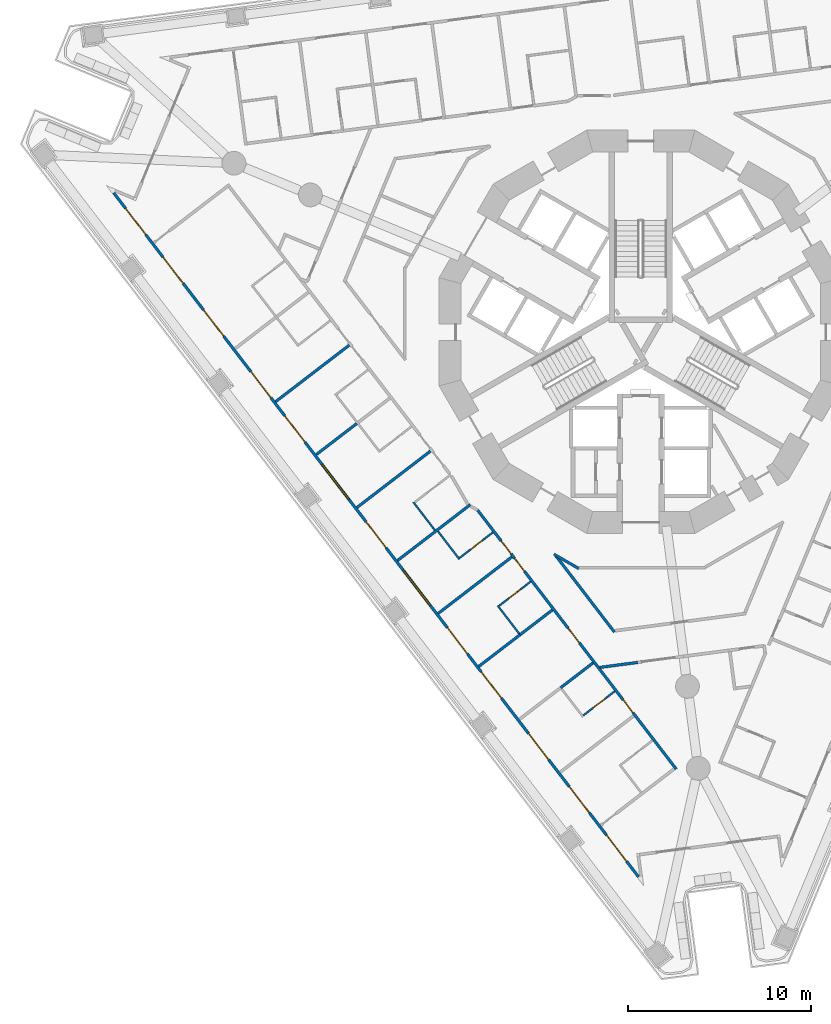
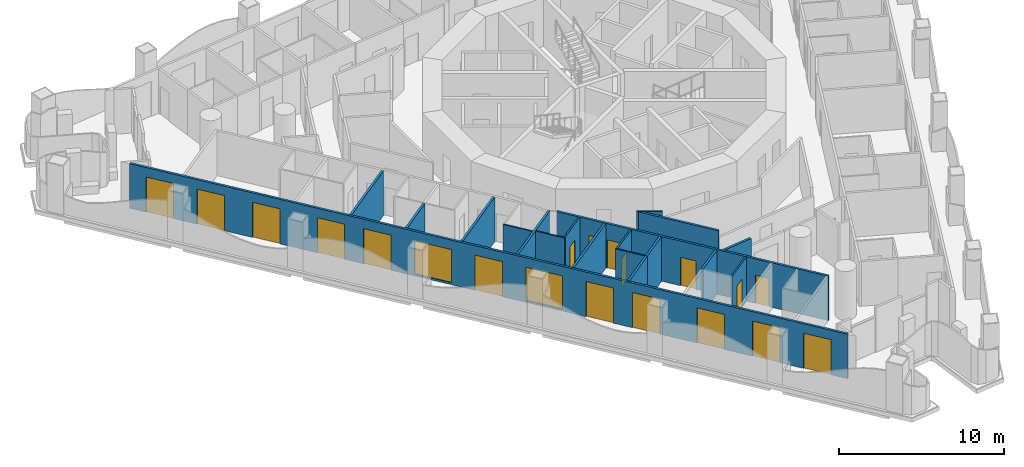
# One storey, part 2 of 19: 19 walls, 18 doors, 2 windows, 20 openings.
"""IFC4 building model written with IfcOpenShell, lengths in metres."""

from ifc_helpers import new_model, si_unit, direction, frame, frame_2d, origin, place, context, subcontext, project, spatial, polyline, rectangle, outline, extrude, material, layer, layer_set, type_object, element, fill, save


model = new_model("IFC4")

# Units and contexts
model_context = context("Model", 3, precision=1e-05, world=origin(), true_north=direction((0.0, 1.0)))
body_context = subcontext(model_context, "Body", "Model", "MODEL_VIEW")
ifc_project = project(units=[si_unit("LENGTHUNIT", "METRE"), si_unit("AREAUNIT", "SQUARE_METRE"), si_unit("VOLUMEUNIT", "CUBIC_METRE"), si_unit("PLANEANGLEUNIT", "RADIAN"), si_unit("MASSUNIT", "GRAM", prefix="KILO")], contexts=[model_context])

# Site, building, storey
site_placement = place(None, origin())
site = spatial("IfcSite", under=ifc_project, at=site_placement, CompositionType="ELEMENT")
building_placement = place(site_placement, origin())
building = spatial("IfcBuilding", under=site, at=building_placement, Name="Trine Commons Tower", CompositionType="ELEMENT")
storey_placement = place(building_placement, frame((0.0, 0.0, 57.60009765625)))
storey = spatial("IfcBuildingStorey", under=building, at=storey_placement, Name="L13", CompositionType="ELEMENT", Elevation=57.60009765625)

# Wall, openings, windows, doors
ifc_material_1 = material(Name="Aluminium-framed insulated wall panel", Category="aluminium")
ifc_layer_1 = layer(ifc_material_1, 0.14990234375)
ifc_layer_set_1 = layer_set([ifc_layer_1], Name="Aluminium-framed insulated wall panel")
wall_type_1 = type_object("IfcWallType", Name="Glazed frame wall 150, EI 60", PredefinedType="SOLIDWALL", material=ifc_layer_set_1)
wall_1_placement = place(storey_placement, frame((79.968994140625, 32.624267578125, 0.0), z_axis=(0.0, 0.0, 1.0), x_axis=(-0.608761526367, 0.793353265585, 0.0)))
wall_1 = element("IfcWall", 1, at=wall_1_placement, inside=storey, type_object=wall_type_1, Name="Glazed frame wall F3", PredefinedType="SOLIDWALL", context=body_context, shape_type="SweptSolid", body=[
    extrude(outline(polyline([(0.1494140625, 0.074951171875), (0.1494140625, -0.074951171875), (47.216796875, -0.074951171875), (47.216796875, 0.074951171875), (0.1494140625, 0.074951171875)])), origin(), (0.0, 0.0, 1.0), 3.2998046875),
])
opening_1_placement = place(wall_1_placement, frame((1.2216796875, 0.0, 0.0)))
opening_1 = element("IfcOpeningElement", 2, at=opening_1_placement, cuts=wall_1, Name="Opening BD-2F3-01", PredefinedType="OPENING", context=body_context, shape_type="SweptSolid", body=[
    extrude(rectangle(XDim=1.800048828125, YDim=2.60009765625, at=frame_2d((0.89990234375, 1.300048828125))), frame((0.0, 0.0849609375, 0.0), z_axis=(0.0, -1.0, 0.0), x_axis=(1.0, 0.0, 0.0)), (0.0, 0.0, 1.0), 0.169921875),
])
opening_2_placement = place(wall_1_placement, frame((4.5654296875, 0.0, 0.0)))
opening_2 = element("IfcOpeningElement", 3, at=opening_2_placement, cuts=wall_1, Name="Opening BD-2F3-02", PredefinedType="OPENING", context=body_context, shape_type="SweptSolid", body=[
    extrude(rectangle(XDim=1.800048828125, YDim=2.60009765625, at=frame_2d((0.89990234375, 1.300048828125))), frame((0.0, 0.0849609375, 0.0), z_axis=(0.0, -1.0, 0.0), x_axis=(1.0, 0.0, 0.0)), (0.0, 0.0, 1.0), 0.169921875),
])
opening_3_placement = place(wall_1_placement, frame((8.208984375, 0.0, 0.0)))
opening_3 = element("IfcOpeningElement", 4, at=opening_3_placement, cuts=wall_1, Name="Opening BD-2F3-03", PredefinedType="OPENING", context=body_context, shape_type="SweptSolid", body=[
    extrude(rectangle(XDim=1.800048828125, YDim=2.60009765625, at=frame_2d((0.89990234375, 1.300048828125))), frame((0.0, 0.0849609375, 0.0), z_axis=(0.0, -1.0, 0.0), x_axis=(1.0, 0.0, 0.0)), (0.0, 0.0, 1.0), 0.169921875),
])
opening_4_placement = place(wall_1_placement, frame((12.45263671875, 0.0, 0.0)))
opening_4 = element("IfcOpeningElement", 5, at=opening_4_placement, cuts=wall_1, Name="Opening BD-2F3-04", PredefinedType="OPENING", context=body_context, shape_type="SweptSolid", body=[
    extrude(rectangle(XDim=1.800048828125, YDim=2.60009765625, at=frame_2d((0.89990234375, 1.300048828125))), frame((0.0, 0.0849609375, 0.0), z_axis=(0.0, -1.0, 0.0), x_axis=(1.0, 0.0, 0.0)), (0.0, 0.0, 1.0), 0.169921875),
])
opening_5_placement = place(wall_1_placement, frame((15.49609375, 0.0, 0.0)))
opening_5 = element("IfcOpeningElement", 6, at=opening_5_placement, cuts=wall_1, Name="Opening BD-2F3-05", PredefinedType="OPENING", context=body_context, shape_type="SweptSolid", body=[
    extrude(rectangle(XDim=1.800048828125, YDim=2.60009765625, at=frame_2d((0.89990234375, 1.300048828125))), frame((0.0, 0.0849609375, 0.0), z_axis=(0.0, -1.0, 0.0), x_axis=(1.0, 0.0, 0.0)), (0.0, 0.0, 1.0), 0.169921875),
])
opening_6_placement = place(wall_1_placement, frame((18.83984375, 0.0, 0.14990234375)))
opening_6 = element("IfcOpeningElement", 7, at=opening_6_placement, cuts=wall_1, Name="Opening W-2F3-06", PredefinedType="OPENING", context=body_context, shape_type="SweptSolid", body=[
    extrude(rectangle(XDim=2.39990234375, YDim=2.449951171875, at=frame_2d((1.199951171875, 1.22509765625))), frame((0.0, 0.0849609375, 0.0), z_axis=(0.0, -1.0, 0.0), x_axis=(1.0, 0.0, 0.0)), (0.0, 0.0, 1.0), 0.169921875),
])
opening_7_placement = place(wall_1_placement, frame((22.783447265625, 0.0, 0.0)))
opening_7 = element("IfcOpeningElement", 8, at=opening_7_placement, cuts=wall_1, Name="Opening BD-2F3-07", PredefinedType="OPENING", context=body_context, shape_type="SweptSolid", body=[
    extrude(rectangle(XDim=1.800048828125, YDim=2.60009765625, at=frame_2d((0.89990234375, 1.300048828125))), frame((0.0, 0.0849609375, 0.0), z_axis=(0.0, -1.0, 0.0), x_axis=(1.0, 0.0, 0.0)), (0.0, 0.0, 1.0), 0.169921875),
])
opening_8_placement = place(wall_1_placement, frame((26.126953125, 0.0, 0.14990234375)))
opening_8 = element("IfcOpeningElement", 9, at=opening_8_placement, cuts=wall_1, Name="Opening W-2F3-08", PredefinedType="OPENING", context=body_context, shape_type="SweptSolid", body=[
    extrude(rectangle(XDim=2.39990234375, YDim=2.449951171875, at=frame_2d((1.199951171875, 1.22509765625))), frame((0.0, 0.0849609375, 0.0), z_axis=(0.0, -1.0, 0.0), x_axis=(1.0, 0.0, 0.0)), (0.0, 0.0, 1.0), 0.169921875),
])
opening_9_placement = place(wall_1_placement, frame((30.070556640625, 0.0, 0.0)))
opening_9 = element("IfcOpeningElement", 10, at=opening_9_placement, cuts=wall_1, Name="Opening BD-2F3-09", PredefinedType="OPENING", context=body_context, shape_type="SweptSolid", body=[
    extrude(rectangle(XDim=1.800048828125, YDim=2.60009765625, at=frame_2d((0.89990234375, 1.300048828125))), frame((0.0, 0.0849609375, 0.0), z_axis=(0.0, -1.0, 0.0), x_axis=(1.0, 0.0, 0.0)), (0.0, 0.0, 1.0), 0.169921875),
])
opening_10_placement = place(wall_1_placement, frame((33.1142578125, 0.0, 0.0)))
opening_10 = element("IfcOpeningElement", 11, at=opening_10_placement, cuts=wall_1, Name="Opening BD-2F3-10", PredefinedType="OPENING", context=body_context, shape_type="SweptSolid", body=[
    extrude(rectangle(XDim=1.800048828125, YDim=2.60009765625, at=frame_2d((0.89990234375, 1.300048828125))), frame((0.0, 0.0849609375, 0.0), z_axis=(0.0, -1.0, 0.0), x_axis=(1.0, 0.0, 0.0)), (0.0, 0.0, 1.0), 0.169921875),
])
opening_11_placement = place(wall_1_placement, frame((37.35791015625, 0.0, 0.0)))
opening_11 = element("IfcOpeningElement", 12, at=opening_11_placement, cuts=wall_1, Name="Opening BD-2F3-11", PredefinedType="OPENING", context=body_context, shape_type="SweptSolid", body=[
    extrude(rectangle(XDim=1.800048828125, YDim=2.60009765625, at=frame_2d((0.89990234375, 1.300048828125))), frame((0.0, 0.0849609375, 0.0), z_axis=(0.0, -1.0, 0.0), x_axis=(1.0, 0.0, 0.0)), (0.0, 0.0, 1.0), 0.169921875),
])
opening_12_placement = place(wall_1_placement, frame((41.00146484375, 0.0, 0.0)))
opening_12 = element("IfcOpeningElement", 13, at=opening_12_placement, cuts=wall_1, Name="Opening BD-2F3-12", PredefinedType="OPENING", context=body_context, shape_type="SweptSolid", body=[
    extrude(rectangle(XDim=1.800048828125, YDim=2.60009765625, at=frame_2d((0.89990234375, 1.300048828125))), frame((0.0, 0.0849609375, 0.0), z_axis=(0.0, -1.0, 0.0), x_axis=(1.0, 0.0, 0.0)), (0.0, 0.0, 1.0), 0.169921875),
])
opening_13_placement = place(wall_1_placement, frame((44.344970703125, 0.0, 0.0)))
opening_13 = element("IfcOpeningElement", 14, at=opening_13_placement, cuts=wall_1, Name="Opening BD-2F3-13", PredefinedType="OPENING", context=body_context, shape_type="SweptSolid", body=[
    extrude(rectangle(XDim=1.800048828125, YDim=2.60009765625, at=frame_2d((0.89990234375, 1.300048828125))), frame((0.0, 0.0849609375, 0.0), z_axis=(0.0, -1.0, 0.0), x_axis=(1.0, 0.0, 0.0)), (0.0, 0.0, 1.0), 0.169921875),
])
ifc_material_2 = material(Name="Anodised aluminium frame with double glazing", Category="aluminium")
window_type = type_object("IfcWindowType", Name="Fixed window 2400x2450", PartitioningType="SINGLE_PANEL", PredefinedType="WINDOW", material=ifc_material_2)
window_1_placement = place(opening_6_placement, origin())
window_1 = element("IfcWindow", 15, at=window_1_placement, inside=storey, type_object=window_type, Name="Window F3 6", OverallHeight=2.449951171875, OverallWidth=2.39990234375, PartitioningType="SINGLE_PANEL", PredefinedType="WINDOW", context=body_context, shape_type="SweptSolid", body=[
    extrude(rectangle(XDim=2.39990234375, YDim=2.449951171875, at=frame_2d((1.199951171875, 1.22509765625))), frame((0.0, 0.030029296875, 0.0), z_axis=(0.0, -1.0, 0.0), x_axis=(1.0, 0.0, 0.0)), (0.0, 0.0, 1.0), 0.06005859375),
])
fill(opening_6, window_1)
window_2_placement = place(opening_8_placement, origin())
window_2 = element("IfcWindow", 16, at=window_2_placement, inside=storey, type_object=window_type, Name="Window F3 8", OverallHeight=2.449951171875, OverallWidth=2.39990234375, PartitioningType="SINGLE_PANEL", PredefinedType="WINDOW", context=body_context, shape_type="SweptSolid", body=[
    extrude(rectangle(XDim=2.39990234375, YDim=2.449951171875, at=frame_2d((1.199951171875, 1.22509765625))), frame((0.0, 0.030029296875, 0.0), z_axis=(0.0, -1.0, 0.0), x_axis=(1.0, 0.0, 0.0)), (0.0, 0.0, 1.0), 0.06005859375),
])
fill(opening_8, window_2)
door_type_1 = type_object("IfcDoorType", Name="Sliding loggia door 1800x2600", OperationType="SLIDING_TO_LEFT", PredefinedType="DOOR", material=ifc_material_2)
door_1_placement = place(opening_1_placement, origin())
door_1 = element("IfcDoor", 17, at=door_1_placement, inside=storey, type_object=door_type_1, Name="Loggia door F3 1", OperationType="SLIDING_TO_LEFT", OverallHeight=2.60009765625, OverallWidth=1.800048828125, PredefinedType="DOOR", context=body_context, shape_type="SweptSolid", body=[
    extrude(rectangle(XDim=1.800048828125, YDim=2.60009765625, at=frame_2d((0.89990234375, 1.300048828125))), frame((0.0, 0.02490234375, 0.0), z_axis=(0.0, -1.0, 0.0), x_axis=(1.0, 0.0, 0.0)), (0.0, 0.0, 1.0), 0.050048828125),
])
fill(opening_1, door_1)
door_2_placement = place(opening_2_placement, origin())
door_2 = element("IfcDoor", 18, at=door_2_placement, inside=storey, type_object=door_type_1, Name="Loggia door F3 2", OperationType="SLIDING_TO_LEFT", OverallHeight=2.60009765625, OverallWidth=1.800048828125, PredefinedType="DOOR", context=body_context, shape_type="SweptSolid", body=[
    extrude(rectangle(XDim=1.800048828125, YDim=2.60009765625, at=frame_2d((0.89990234375, 1.300048828125))), frame((0.0, 0.02490234375, 0.0), z_axis=(0.0, -1.0, 0.0), x_axis=(1.0, 0.0, 0.0)), (0.0, 0.0, 1.0), 0.050048828125),
])
fill(opening_2, door_2)
door_3_placement = place(opening_3_placement, origin())
door_3 = element("IfcDoor", 19, at=door_3_placement, inside=storey, type_object=door_type_1, Name="Loggia door F3 3", OperationType="SLIDING_TO_LEFT", OverallHeight=2.60009765625, OverallWidth=1.800048828125, PredefinedType="DOOR", context=body_context, shape_type="SweptSolid", body=[
    extrude(rectangle(XDim=1.800048828125, YDim=2.60009765625, at=frame_2d((0.89990234375, 1.300048828125))), frame((0.0, 0.02490234375, 0.0), z_axis=(0.0, -1.0, 0.0), x_axis=(1.0, 0.0, 0.0)), (0.0, 0.0, 1.0), 0.050048828125),
])
fill(opening_3, door_3)
door_4_placement = place(opening_4_placement, origin())
door_4 = element("IfcDoor", 20, at=door_4_placement, inside=storey, type_object=door_type_1, Name="Loggia door F3 4", OperationType="SLIDING_TO_LEFT", OverallHeight=2.60009765625, OverallWidth=1.800048828125, PredefinedType="DOOR", context=body_context, shape_type="SweptSolid", body=[
    extrude(rectangle(XDim=1.800048828125, YDim=2.60009765625, at=frame_2d((0.89990234375, 1.300048828125))), frame((0.0, 0.02490234375, 0.0), z_axis=(0.0, -1.0, 0.0), x_axis=(1.0, 0.0, 0.0)), (0.0, 0.0, 1.0), 0.050048828125),
])
fill(opening_4, door_4)
door_5_placement = place(opening_5_placement, origin())
door_5 = element("IfcDoor", 21, at=door_5_placement, inside=storey, type_object=door_type_1, Name="Loggia door F3 5", OperationType="SLIDING_TO_LEFT", OverallHeight=2.60009765625, OverallWidth=1.800048828125, PredefinedType="DOOR", context=body_context, shape_type="SweptSolid", body=[
    extrude(rectangle(XDim=1.800048828125, YDim=2.60009765625, at=frame_2d((0.89990234375, 1.300048828125))), frame((0.0, 0.02490234375, 0.0), z_axis=(0.0, -1.0, 0.0), x_axis=(1.0, 0.0, 0.0)), (0.0, 0.0, 1.0), 0.050048828125),
])
fill(opening_5, door_5)
door_6_placement = place(opening_7_placement, origin())
door_6 = element("IfcDoor", 22, at=door_6_placement, inside=storey, type_object=door_type_1, Name="Loggia door F3 7", OperationType="SLIDING_TO_LEFT", OverallHeight=2.60009765625, OverallWidth=1.800048828125, PredefinedType="DOOR", context=body_context, shape_type="SweptSolid", body=[
    extrude(rectangle(XDim=1.800048828125, YDim=2.60009765625, at=frame_2d((0.89990234375, 1.300048828125))), frame((0.0, 0.02490234375, 0.0), z_axis=(0.0, -1.0, 0.0), x_axis=(1.0, 0.0, 0.0)), (0.0, 0.0, 1.0), 0.050048828125),
])
fill(opening_7, door_6)
door_7_placement = place(opening_9_placement, origin())
door_7 = element("IfcDoor", 23, at=door_7_placement, inside=storey, type_object=door_type_1, Name="Loggia door F3 9", OperationType="SLIDING_TO_LEFT", OverallHeight=2.60009765625, OverallWidth=1.800048828125, PredefinedType="DOOR", context=body_context, shape_type="SweptSolid", body=[
    extrude(rectangle(XDim=1.800048828125, YDim=2.60009765625, at=frame_2d((0.89990234375, 1.300048828125))), frame((0.0, 0.02490234375, 0.0), z_axis=(0.0, -1.0, 0.0), x_axis=(1.0, 0.0, 0.0)), (0.0, 0.0, 1.0), 0.050048828125),
])
fill(opening_9, door_7)
door_8_placement = place(opening_10_placement, origin())
door_8 = element("IfcDoor", 24, at=door_8_placement, inside=storey, type_object=door_type_1, Name="Loggia door F3 10", OperationType="SLIDING_TO_LEFT", OverallHeight=2.60009765625, OverallWidth=1.800048828125, PredefinedType="DOOR", context=body_context, shape_type="SweptSolid", body=[
    extrude(rectangle(XDim=1.800048828125, YDim=2.60009765625, at=frame_2d((0.89990234375, 1.300048828125))), frame((0.0, 0.02490234375, 0.0), z_axis=(0.0, -1.0, 0.0), x_axis=(1.0, 0.0, 0.0)), (0.0, 0.0, 1.0), 0.050048828125),
])
fill(opening_10, door_8)
door_9_placement = place(opening_11_placement, origin())
door_9 = element("IfcDoor", 25, at=door_9_placement, inside=storey, type_object=door_type_1, Name="Loggia door F3 11", OperationType="SLIDING_TO_LEFT", OverallHeight=2.60009765625, OverallWidth=1.800048828125, PredefinedType="DOOR", context=body_context, shape_type="SweptSolid", body=[
    extrude(rectangle(XDim=1.800048828125, YDim=2.60009765625, at=frame_2d((0.89990234375, 1.300048828125))), frame((0.0, 0.02490234375, 0.0), z_axis=(0.0, -1.0, 0.0), x_axis=(1.0, 0.0, 0.0)), (0.0, 0.0, 1.0), 0.050048828125),
])
fill(opening_11, door_9)
door_10_placement = place(opening_12_placement, origin())
door_10 = element("IfcDoor", 26, at=door_10_placement, inside=storey, type_object=door_type_1, Name="Loggia door F3 12", OperationType="SLIDING_TO_LEFT", OverallHeight=2.60009765625, OverallWidth=1.800048828125, PredefinedType="DOOR", context=body_context, shape_type="SweptSolid", body=[
    extrude(rectangle(XDim=1.800048828125, YDim=2.60009765625, at=frame_2d((0.89990234375, 1.300048828125))), frame((0.0, 0.02490234375, 0.0), z_axis=(0.0, -1.0, 0.0), x_axis=(1.0, 0.0, 0.0)), (0.0, 0.0, 1.0), 0.050048828125),
])
fill(opening_12, door_10)
door_11_placement = place(opening_13_placement, origin())
door_11 = element("IfcDoor", 27, at=door_11_placement, inside=storey, type_object=door_type_1, Name="Loggia door F3 13", OperationType="SLIDING_TO_LEFT", OverallHeight=2.60009765625, OverallWidth=1.800048828125, PredefinedType="DOOR", context=body_context, shape_type="SweptSolid", body=[
    extrude(rectangle(XDim=1.800048828125, YDim=2.60009765625, at=frame_2d((0.89990234375, 1.300048828125))), frame((0.0, 0.02490234375, 0.0), z_axis=(0.0, -1.0, 0.0), x_axis=(1.0, 0.0, 0.0)), (0.0, 0.0, 1.0), 0.050048828125),
])
fill(opening_13, door_11)

# Walls
ifc_material_3 = material(Name="Gypsum plasterboard on steel stud", Category="steel")
ifc_layer_2 = layer(ifc_material_3, 0.14990234375)
ifc_layer_set_2 = layer_set([ifc_layer_2], Name="Gypsum plasterboard on steel stud")
wall_type_2 = type_object("IfcWallType", Name="Unit and corridor wall 150 mm, EI 60", PredefinedType="PARTITIONING", material=ifc_layer_set_2)
wall_2_placement = place(storey_placement, frame((60.065673828125, 58.686279296875, 0.0), z_axis=(0.0, 0.0, 1.0), x_axis=(0.793444149255, 0.608643066184, 0.0)))
element("IfcWall", 28, at=wall_2_placement, inside=storey, type_object=wall_type_2, Name="Partition 010", PredefinedType="PARTITIONING", context=body_context, shape_type="SweptSolid", body=[
    extrude(rectangle(XDim=5.063720703125, YDim=0.14990234375, at=frame_2d((2.53173828125, 0.0))), origin(), (0.0, 0.0, 1.0), 3.2998046875),
])
wall_3_placement = place(storey_placement, frame((62.28369140625, 55.79541015625, 0.0), z_axis=(0.0, 0.0, 1.0), x_axis=(0.793280814045, 0.608855935397, 0.0)))
element("IfcWall", 29, at=wall_3_placement, inside=storey, type_object=wall_type_2, Name="Partition 021", PredefinedType="PARTITIONING", context=body_context, shape_type="SweptSolid", body=[
    extrude(rectangle(XDim=2.789306640625, YDim=0.14990234375, at=frame_2d((1.39453125, 0.0))), origin(), (0.0, 0.0, 1.0), 3.2998046875),
])
wall_4_placement = place(storey_placement, frame((64.501708984375, 52.904296875, 0.0), z_axis=(0.0, 0.0, 1.0), x_axis=(0.793351017656, 0.608764455913, 0.0)))
element("IfcWall", 30, at=wall_4_placement, inside=storey, type_object=wall_type_2, Name="Partition 031", PredefinedType="PARTITIONING", context=body_context, shape_type="SweptSolid", body=[
    extrude(rectangle(XDim=5.064453125, YDim=0.14990234375, at=frame_2d((2.5322265625, 0.0))), origin(), (0.0, 0.0, 1.0), 3.2998046875),
])
wall_5_placement = place(storey_placement, frame((66.7197265625, 50.014404296875, 0.0), z_axis=(0.0, 0.0, 1.0), x_axis=(0.793383103562, 0.608722638796, 0.0)))
element("IfcWall", 31, at=wall_5_placement, inside=storey, type_object=wall_type_2, Name="Partition 042", PredefinedType="PARTITIONING", context=body_context, shape_type="SweptSolid", body=[
    extrude(rectangle(XDim=5.017333984375, YDim=0.14990234375, at=frame_2d((2.5087890625, 0.0))), origin(), (0.0, 0.0, 1.0), 3.2998046875),
])
wall_6_placement = place(storey_placement, frame((68.937744140625, 47.123291015625, 0.0), z_axis=(0.0, 0.0, 1.0), x_axis=(0.793351017656, 0.608764455913, 0.0)))
element("IfcWall", 32, at=wall_6_placement, inside=storey, type_object=wall_type_2, Name="Partition 052", PredefinedType="PARTITIONING", context=body_context, shape_type="SweptSolid", body=[
    extrude(rectangle(XDim=5.064453125, YDim=0.14990234375, at=frame_2d((2.5322265625, 0.0))), origin(), (0.0, 0.0, 1.0), 3.2998046875),
])

# Wall, openings, doors
wall_7_placement = place(storey_placement, frame((71.087890625, 52.76611328125, 0.0), z_axis=(0.0, 0.0, 1.0), x_axis=(0.608663951432, -0.793428127953, 0.0)))
wall_7 = element("IfcWall", 33, at=wall_7_placement, inside=storey, type_object=wall_type_2, Name="Partition 058", PredefinedType="PARTITIONING", context=body_context, shape_type="SweptSolid", body=[
    extrude(rectangle(XDim=17.8173828125, YDim=0.14990234375, at=frame_2d((8.90869140625, 0.0))), origin(), (0.0, 0.0, 1.0), 3.2998046875),
])
opening_14_placement = place(wall_7_placement, frame((13.048095703125, 0.0, 0.0)))
opening_14 = element("IfcOpeningElement", 34, at=opening_14_placement, cuts=wall_7, Name="Opening D-2A27", PredefinedType="OPENING", context=body_context, shape_type="SweptSolid", body=[
    extrude(rectangle(XDim=0.89990234375, YDim=2.10009765625, at=frame_2d((0.449951171875, 1.050048828125))), frame((0.0, 0.0849609375, 0.0), z_axis=(0.0, -1.0, 0.0), x_axis=(1.0, 0.0, 0.0)), (0.0, 0.0, 1.0), 0.169921875),
])
opening_15_placement = place(wall_7_placement, frame((8.13330078125, 0.0, 0.0)))
opening_15 = element("IfcOpeningElement", 35, at=opening_15_placement, cuts=wall_7, Name="Opening D-2A28", PredefinedType="OPENING", context=body_context, shape_type="SweptSolid", body=[
    extrude(rectangle(XDim=1.0, YDim=2.10009765625, at=frame_2d((0.5, 1.050048828125))), frame((0.0, 0.0849609375, 0.0), z_axis=(0.0, -1.0, 0.0), x_axis=(1.0, 0.0, 0.0)), (0.0, 0.0, 1.0), 0.169921875),
])
opening_16_placement = place(wall_7_placement, frame((3.317626953125, 0.0, 0.0)))
opening_16 = element("IfcOpeningElement", 36, at=opening_16_placement, cuts=wall_7, Name="Opening D-2A29", PredefinedType="OPENING", context=body_context, shape_type="SweptSolid", body=[
    extrude(rectangle(XDim=0.89990234375, YDim=2.10009765625, at=frame_2d((0.449951171875, 1.050048828125))), frame((0.0, 0.0849609375, 0.0), z_axis=(0.0, -1.0, 0.0), x_axis=(1.0, 0.0, 0.0)), (0.0, 0.0, 1.0), 0.169921875),
])
opening_17_placement = place(wall_7_placement, frame((2.11767578125, 0.0, 0.0)))
opening_17 = element("IfcOpeningElement", 37, at=opening_17_placement, cuts=wall_7, Name="Opening D-2A30", PredefinedType="OPENING", context=body_context, shape_type="SweptSolid", body=[
    extrude(rectangle(XDim=0.89990234375, YDim=2.10009765625, at=frame_2d((0.449951171875, 1.050048828125))), frame((0.0, 0.0849609375, 0.0), z_axis=(0.0, -1.0, 0.0), x_axis=(1.0, 0.0, 0.0)), (0.0, 0.0, 1.0), 0.169921875),
])
ifc_material_4 = material(Name="Painted timber", Category="wood")
door_type_2 = type_object("IfcDoorType", Name="Amenity room door 1000 x 2100, NOT RATED", OperationType="NOTDEFINED", PredefinedType="DOOR", material=ifc_material_4)
door_12_placement = place(opening_15_placement, frame((1.0, 0.0, 0.0), z_axis=(0.0, 0.0, 1.0), x_axis=(-1.0, 0.0, 0.0)))
door_12 = element("IfcDoor", 38, at=door_12_placement, inside=storey, type_object=door_type_2, Name="Door D-2A28", OperationType="SINGLE_SWING_RIGHT", OverallHeight=2.10009765625, OverallWidth=1.0, PredefinedType="DOOR", context=body_context, shape_type="SweptSolid", body=[
    extrude(rectangle(XDim=1.0, YDim=2.10009765625, at=frame_2d((0.5, 1.050048828125))), frame((0.0, 0.02490234375, 0.0), z_axis=(0.0, -1.0, 0.0), x_axis=(1.0, 0.0, 0.0)), (0.0, 0.0, 1.0), 0.050048828125),
])
fill(opening_15, door_12)
ifc_material_5 = material(Name="Timber fire door set", Category="wood")
door_type_3 = type_object("IfcDoorType", Name="Bedroom door 900 x 2100, FD30S", OperationType="NOTDEFINED", PredefinedType="DOOR", material=ifc_material_5)
door_13_placement = place(opening_14_placement, frame((0.89990234375, 0.0, 0.0), z_axis=(0.0, 0.0, 1.0), x_axis=(-1.0, 0.0, 0.0)))
door_13 = element("IfcDoor", 39, at=door_13_placement, inside=storey, type_object=door_type_3, Name="Door D-2A27", OperationType="SINGLE_SWING_LEFT", OverallHeight=2.10009765625, OverallWidth=0.89990234375, PredefinedType="DOOR", context=body_context, shape_type="SweptSolid", body=[
    extrude(rectangle(XDim=0.89990234375, YDim=2.10009765625, at=frame_2d((0.449951171875, 1.050048828125))), frame((0.0, 0.02490234375, 0.0), z_axis=(0.0, -1.0, 0.0), x_axis=(1.0, 0.0, 0.0)), (0.0, 0.0, 1.0), 0.050048828125),
])
fill(opening_14, door_13)
door_14_placement = place(opening_16_placement, frame((0.89990234375, 0.0, 0.0), z_axis=(0.0, 0.0, 1.0), x_axis=(-1.0, 0.0, 0.0)))
door_14 = element("IfcDoor", 40, at=door_14_placement, inside=storey, type_object=door_type_3, Name="Door D-2A29", OperationType="SINGLE_SWING_RIGHT", OverallHeight=2.10009765625, OverallWidth=0.89990234375, PredefinedType="DOOR", context=body_context, shape_type="SweptSolid", body=[
    extrude(rectangle(XDim=0.89990234375, YDim=2.10009765625, at=frame_2d((0.449951171875, 1.050048828125))), frame((0.0, 0.02490234375, 0.0), z_axis=(0.0, -1.0, 0.0), x_axis=(1.0, 0.0, 0.0)), (0.0, 0.0, 1.0), 0.050048828125),
])
fill(opening_16, door_14)
door_15_placement = place(opening_17_placement, frame((0.89990234375, 0.0, 0.0), z_axis=(0.0, 0.0, 1.0), x_axis=(-1.0, 0.0, 0.0)))
door_15 = element("IfcDoor", 41, at=door_15_placement, inside=storey, type_object=door_type_3, Name="Door D-2A30", OperationType="SINGLE_SWING_RIGHT", OverallHeight=2.10009765625, OverallWidth=0.89990234375, PredefinedType="DOOR", context=body_context, shape_type="SweptSolid", body=[
    extrude(rectangle(XDim=0.89990234375, YDim=2.10009765625, at=frame_2d((0.449951171875, 1.050048828125))), frame((0.0, 0.02490234375, 0.0), z_axis=(0.0, -1.0, 0.0), x_axis=(1.0, 0.0, 0.0)), (0.0, 0.0, 1.0), 0.050048828125),
])
fill(opening_17, door_15)

# Walls
wall_8_placement = place(storey_placement, frame((71.15576171875, 44.232421875, 0.0), z_axis=(0.0, 0.0, 1.0), x_axis=(0.793345018711, 0.60877227375, 0.0)))
element("IfcWall", 42, at=wall_8_placement, inside=storey, type_object=wall_type_2, Name="Partition 059", PredefinedType="PARTITIONING", context=body_context, shape_type="SweptSolid", body=[
    extrude(rectangle(XDim=2.842529296875, YDim=0.14990234375, at=frame_2d((1.42138671875, 0.0))), origin(), (0.0, 0.0, 1.0), 3.2998046875),
])
wall_9_placement = place(storey_placement, frame((73.405029296875, 45.958984375, 0.0), z_axis=(0.0, 0.0, 1.0), x_axis=(0.793486460679, 0.608587903856, 0.0)))
element("IfcWall", 43, at=wall_9_placement, inside=storey, type_object=wall_type_2, Name="Partition 065", PredefinedType="PARTITIONING", context=body_context, shape_type="SweptSolid", body=[
    extrude(rectangle(XDim=2.228759765625, YDim=0.14990234375, at=frame_2d((1.1142578125, 0.0))), origin(), (0.0, 0.0, 1.0), 3.2998046875),
])
wall_10_placement = place(storey_placement, frame((75.260986328125, 50.35546875, 0.0), z_axis=(0.0, 0.0, 1.0), x_axis=(0.866029224906, -0.499993381564, 0.0)))
element("IfcWall", 44, at=wall_10_placement, inside=storey, type_object=wall_type_2, Name="Partition 068", PredefinedType="PARTITIONING", context=body_context, shape_type="SweptSolid", body=[
    extrude(rectangle(XDim=1.56005859375, YDim=0.14990234375, at=frame_2d((0.780029296875, 0.0))), origin(), (0.0, 0.0, 1.0), 3.2998046875),
])
wall_11_placement = place(storey_placement, frame((75.373779296875, 50.257568359375, 0.0), z_axis=(0.0, 0.0, 1.0), x_axis=(0.608769592338, -0.793347076282, 0.0)))
element("IfcWall", 45, at=wall_11_placement, inside=storey, type_object=wall_type_2, Name="Partition 069", PredefinedType="PARTITIONING", context=body_context, shape_type="SweptSolid", body=[
    extrude(rectangle(XDim=5.22998046875, YDim=0.14990234375, at=frame_2d((2.614990234375, 0.0))), origin(), (0.0, 0.0, 1.0), 3.2998046875),
])
wall_12_placement = place(storey_placement, frame((75.626953125, 43.070068359375, 0.0), z_axis=(0.0, 0.0, 1.0), x_axis=(0.793313024441, 0.608813966045, 0.0)))
element("IfcWall", 46, at=wall_12_placement, inside=storey, type_object=wall_type_2, Name="Partition 072", PredefinedType="PARTITIONING", context=body_context, shape_type="SweptSolid", body=[
    extrude(rectangle(XDim=2.224365234375, YDim=0.14990234375, at=frame_2d((1.1123046875, 0.0))), origin(), (0.0, 0.0, 1.0), 3.2998046875),
])
wall_13_placement = place(storey_placement, frame((77.75732421875, 44.177734375, 0.0), z_axis=(0.0, 0.0, 1.0), x_axis=(0.99142565409, 0.130672003172, 0.0)))
element("IfcWall", 47, at=wall_13_placement, inside=storey, type_object=wall_type_2, Name="Partition 078", PredefinedType="PARTITIONING", context=body_context, shape_type="SweptSolid", body=[
    extrude(rectangle(XDim=2.090576171875, YDim=0.14990234375, at=frame_2d((1.04541015625, 0.0))), origin(), (0.0, 0.0, 1.0), 3.2998046875),
])
ifc_layer_3 = layer(ifc_material_3, 0.10009765625)
ifc_layer_set_3 = layer_set([ifc_layer_3], Name="Gypsum plasterboard on steel stud")
wall_type_3 = type_object("IfcWallType", Name="Unit partition 100 mm, no rating", PredefinedType="PARTITIONING", material=ifc_layer_set_3)
wall_14_placement = place(storey_placement, frame((67.584716796875, 53.19873046875, 0.0), z_axis=(0.0, 0.0, 1.0), x_axis=(0.608404928037, -0.793626765892, 0.0)))
element("IfcWall", 48, at=wall_14_placement, inside=storey, type_object=wall_type_3, Name="Partition 046", PredefinedType="PARTITIONING", context=body_context, shape_type="SweptSolid", body=[
    extrude(rectangle(XDim=1.92578125, YDim=0.10009765625, at=frame_2d((0.962890625, 0.0))), origin(), (0.0, 0.0, 1.0), 3.2998046875),
])
wall_15_placement = place(storey_placement, frame((68.9248046875, 51.611572265625, 0.0), z_axis=(0.0, 0.0, 1.0), x_axis=(0.608649853766, -0.793438942522, 0.0)))
element("IfcWall", 49, at=wall_15_placement, inside=storey, type_object=wall_type_3, Name="Partition 051", PredefinedType="PARTITIONING", context=body_context, shape_type="SweptSolid", body=[
    extrude(rectangle(XDim=1.925048828125, YDim=0.10009765625, at=frame_2d((0.96240234375, 0.0))), origin(), (0.0, 0.0, 1.0), 3.2998046875),
])

# Wall, opening, door
wall_16_placement = place(storey_placement, frame((70.105712890625, 50.154296875, 0.0), z_axis=(0.0, 0.0, 1.0), x_axis=(0.793486347076, 0.608588051972, 0.0)))
wall_16 = element("IfcWall", 50, at=wall_16_placement, inside=storey, type_object=wall_type_3, Name="Partition 055", PredefinedType="PARTITIONING", context=body_context, shape_type="SweptSolid", body=[
    extrude(rectangle(XDim=2.292236328125, YDim=0.10009765625, at=frame_2d((1.14599609375, 0.0))), origin(), (0.0, 0.0, 1.0), 3.2998046875),
])
opening_18_placement = place(wall_16_placement, frame((0.74609375, 0.0, 0.0)))
opening_18 = element("IfcOpeningElement", 51, at=opening_18_placement, cuts=wall_16, Name="Opening D-2A60", PredefinedType="OPENING", context=body_context, shape_type="SweptSolid", body=[
    extrude(rectangle(XDim=0.800048828125, YDim=2.10009765625, at=frame_2d((0.39990234375, 1.050048828125))), frame((0.0, 0.06005859375, 0.0), z_axis=(0.0, -1.0, 0.0), x_axis=(1.0, 0.0, 0.0)), (0.0, 0.0, 1.0), 0.1201171875),
])
door_type_4 = type_object("IfcDoorType", Name="Internal door 800 x 2100, NOT RATED", OperationType="NOTDEFINED", PredefinedType="DOOR", material=ifc_material_4)
door_16_placement = place(opening_18_placement, frame((0.800048828125, 0.0, 0.0), z_axis=(0.0, 0.0, 1.0), x_axis=(-1.0, 0.0, 0.0)))
door_16 = element("IfcDoor", 52, at=door_16_placement, inside=storey, type_object=door_type_4, Name="Door D-2A60", OperationType="SINGLE_SWING_LEFT", OverallHeight=2.10009765625, OverallWidth=0.800048828125, PredefinedType="DOOR", context=body_context, shape_type="SweptSolid", body=[
    extrude(rectangle(XDim=0.800048828125, YDim=2.10009765625, at=frame_2d((0.39990234375, 1.050048828125))), frame((0.0, 0.02490234375, 0.0), z_axis=(0.0, -1.0, 0.0), x_axis=(1.0, 0.0, 0.0)), (0.0, 0.0, 1.0), 0.050048828125),
])
fill(opening_18, door_16)

# Wall
wall_17_placement = place(storey_placement, frame((72.190673828125, 47.547607421875, 0.0), z_axis=(0.0, 0.0, 1.0), x_axis=(0.608711106948, -0.793391951231, 0.0)))
element("IfcWall", 53, at=wall_17_placement, inside=storey, type_object=wall_type_3, Name="Partition 061", PredefinedType="PARTITIONING", context=body_context, shape_type="SweptSolid", body=[
    extrude(rectangle(XDim=1.9248046875, YDim=0.10009765625, at=frame_2d((0.96240234375, 0.0))), origin(), (0.0, 0.0, 1.0), 3.2998046875),
])

# Wall, opening, door
wall_18_placement = place(storey_placement, frame((72.2607421875, 47.538330078125, 0.0), z_axis=(0.0, 0.0, 1.0), x_axis=(0.79342025342, 0.608674216197, 0.0)))
wall_18 = element("IfcWall", 54, at=wall_18_placement, inside=storey, type_object=wall_type_3, Name="Partition 062", PredefinedType="PARTITIONING", context=body_context, shape_type="SweptSolid", body=[
    extrude(rectangle(XDim=2.17529296875, YDim=0.10009765625, at=frame_2d((1.087646484375, 0.0))), origin(), (0.0, 0.0, 1.0), 3.2998046875),
])
opening_19_placement = place(wall_18_placement, frame((0.6875, 0.0, 0.0)))
opening_19 = element("IfcOpeningElement", 55, at=opening_19_placement, cuts=wall_18, Name="Opening D-2A59", PredefinedType="OPENING", context=body_context, shape_type="SweptSolid", body=[
    extrude(rectangle(XDim=0.800048828125, YDim=2.10009765625, at=frame_2d((0.39990234375, 1.050048828125))), frame((0.0, 0.06005859375, 0.0), z_axis=(0.0, -1.0, 0.0), x_axis=(1.0, 0.0, 0.0)), (0.0, 0.0, 1.0), 0.1201171875),
])
door_17_placement = place(opening_19_placement, origin())
door_17 = element("IfcDoor", 56, at=door_17_placement, inside=storey, type_object=door_type_4, Name="Door D-2A59", OperationType="SINGLE_SWING_RIGHT", OverallHeight=2.10009765625, OverallWidth=0.800048828125, PredefinedType="DOOR", context=body_context, shape_type="SweptSolid", body=[
    extrude(rectangle(XDim=0.800048828125, YDim=2.10009765625, at=frame_2d((0.39990234375, 1.050048828125))), frame((0.0, 0.02490234375, 0.0), z_axis=(0.0, -1.0, 0.0), x_axis=(1.0, 0.0, 0.0)), (0.0, 0.0, 1.0), 0.050048828125),
])
fill(opening_19, door_17)

wall_19_placement = place(storey_placement, frame((76.853759765625, 41.553466796875, 0.0), z_axis=(0.0, 0.0, 1.0), x_axis=(0.793308064866, 0.608820428549, 0.0)))
wall_19 = element("IfcWall", 57, at=wall_19_placement, inside=storey, type_object=wall_type_3, Name="Partition 077", PredefinedType="PARTITIONING", context=body_context, shape_type="SweptSolid", body=[
    extrude(rectangle(XDim=2.17431640625, YDim=0.10009765625, at=frame_2d((1.087158203125, 0.0))), origin(), (0.0, 0.0, 1.0), 3.2998046875),
])
opening_20_placement = place(wall_19_placement, frame((0.687255859375, 0.0, 0.0)))
opening_20 = element("IfcOpeningElement", 58, at=opening_20_placement, cuts=wall_19, Name="Opening D-2A58", PredefinedType="OPENING", context=body_context, shape_type="SweptSolid", body=[
    extrude(rectangle(XDim=0.800048828125, YDim=2.10009765625, at=frame_2d((0.39990234375, 1.050048828125))), frame((0.0, 0.06005859375, 0.0), z_axis=(0.0, -1.0, 0.0), x_axis=(1.0, 0.0, 0.0)), (0.0, 0.0, 1.0), 0.1201171875),
])
door_18_placement = place(opening_20_placement, frame((0.800048828125, 0.0, 0.0), z_axis=(0.0, 0.0, 1.0), x_axis=(-1.0, 0.0, 0.0)))
door_18 = element("IfcDoor", 59, at=door_18_placement, inside=storey, type_object=door_type_4, Name="Door D-2A58", OperationType="SINGLE_SWING_LEFT", OverallHeight=2.10009765625, OverallWidth=0.800048828125, PredefinedType="DOOR", context=body_context, shape_type="SweptSolid", body=[
    extrude(rectangle(XDim=0.800048828125, YDim=2.10009765625, at=frame_2d((0.39990234375, 1.050048828125))), frame((0.0, 0.02490234375, 0.0), z_axis=(0.0, -1.0, 0.0), x_axis=(1.0, 0.0, 0.0)), (0.0, 0.0, 1.0), 0.050048828125),
])
fill(opening_20, door_18)

save(model, "model.ifc")
